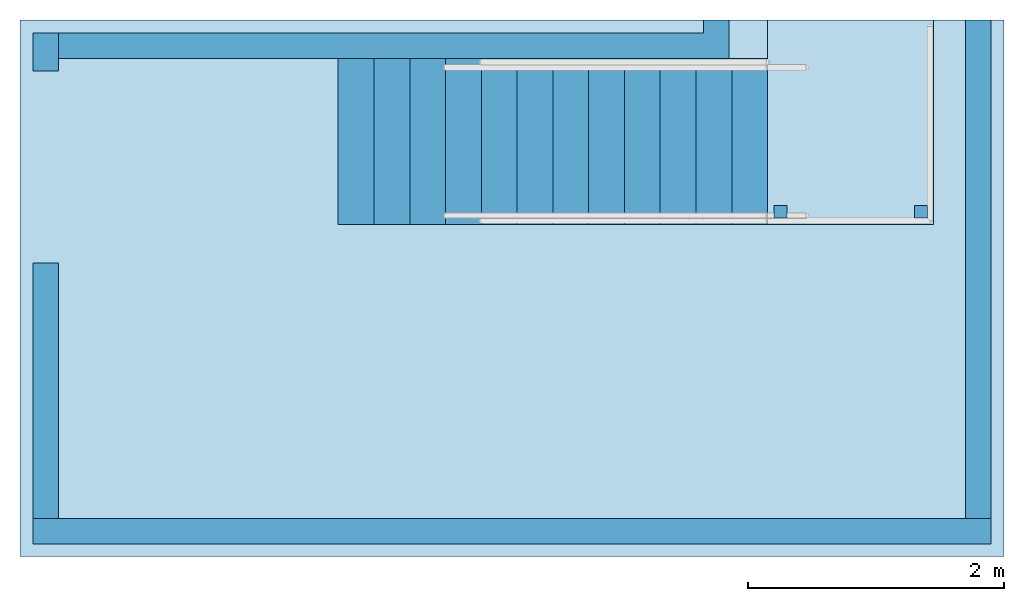
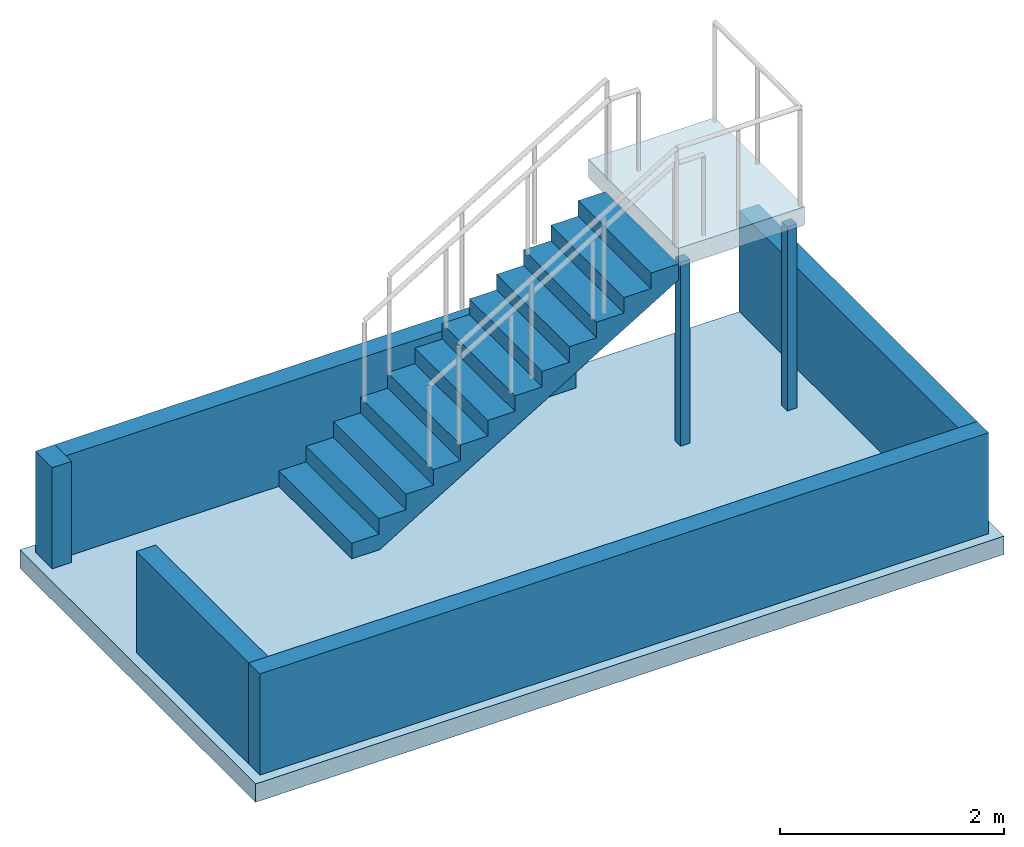
# One storey, part 1 of 2: 5 walls, 2 discrete accessories, 2 slabs, 1 stair flight, 1 element without a shape of its own.
"""IFC4 building model written with IfcOpenShell, lengths in metres."""

from ifc_helpers import new_model, si_unit, direction, frame, origin, origin_2d, place, context, subcontext, project, spatial, polyline, rectangle, outline, extrude, source, transform, mapped, material, layer, layer_set, type_object, element, aggregate, save


model = new_model("IFC4")

# Units and contexts
model_context = context("Model", 3, precision=1e-05, world=origin(), true_north=direction((0.0, 1.0)))
body_context = subcontext(model_context, "Body", "Model", "MODEL_VIEW")
ifc_project = project(units=[si_unit("LENGTHUNIT", "METRE"), si_unit("AREAUNIT", "SQUARE_METRE"), si_unit("VOLUMEUNIT", "CUBIC_METRE"), si_unit("PLANEANGLEUNIT", "RADIAN"), si_unit("MASSUNIT", "GRAM", prefix="KILO")], contexts=[model_context])

# Site, building, storey
site_placement = place(None, origin())
site = spatial("IfcSite", under=ifc_project, at=site_placement, CompositionType="ELEMENT")
building_placement = place(site_placement, origin())
building = spatial("IfcBuilding", under=site, at=building_placement, Name="Triune Harvest Tower", CompositionType="ELEMENT")
storey_placement = place(building_placement, frame((0.0, 0.0, 302.5)))
storey = spatial("IfcBuildingStorey", under=building, at=storey_placement, Name="ROOF STAIR HEAD", CompositionType="ELEMENT", Elevation=302.5)

# Slab
ifc_material_1 = material(Name="Concrete 40 MPa", Category="concrete")
ifc_layer_1 = layer(ifc_material_1, 0.199951171875)
ifc_layer_set_1 = layer_set([ifc_layer_1], Name="Concrete 40 MPa")
slab_type_1 = type_object("IfcSlabType", Name="RR-1 roof slab 200", PredefinedType="ROOF", material=ifc_layer_set_1)
slab_1_placement = place(storey_placement, frame((0.0, 0.0, -0.199951171875)))
element("IfcSlab", 1, at=slab_1_placement, inside=storey, type_object=slab_type_1, Name="Stair head roof slab", PredefinedType="ROOF", context=body_context, shape_type="SweptSolid", body=[
    extrude(outline(polyline([(-3.85009765625, -10.18994140625), (3.85009765625, -10.18994140625), (3.85009765625, -5.989990234375), (-3.85009765625, -5.989990234375), (-3.85009765625, -10.18994140625)])), origin(), (0.0, 0.0, 1.0), 0.199951171875),
])

# Stair, slab
ifc_material_2 = material(Name="Steel S355", Category="steel")
stair_type = type_object("IfcStairType", Name="Roof access stair 1300 steel", PredefinedType="STRAIGHT_RUN_STAIR", material=ifc_material_2)
stair_placement = place(storey_placement, origin())
stair = element("IfcStair", 2, at=stair_placement, inside=storey, type_object=stair_type, Name="Roof access stair RA-2", PredefinedType="STRAIGHT_RUN_STAIR")
ifc_material_3 = material(Name="Steel S355", Category="steel")
ifc_layer_2 = layer(ifc_material_3, 0.199951171875)
ifc_layer_set_2 = layer_set([ifc_layer_2], Name="Steel S355")
slab_type_2 = type_object("IfcSlabType", Name="Roof access stair landing 200", PredefinedType="LANDING", material=ifc_layer_set_2)
slab_2_placement = place(storey_placement, frame((0.0, 0.0, 2.0)))
slab_2 = element("IfcSlab", 3, at=slab_2_placement, type_object=slab_type_2, Name="RA-2 landing 1", PredefinedType="LANDING", context=body_context, shape_type="SweptSolid", body=[
    extrude(outline(polyline([(2.0, -7.590087890625), (3.300048828125, -7.590087890625), (3.300048828125, -5.989990234375), (2.0, -5.989990234375), (2.0, -7.590087890625)])), origin(), (0.0, 0.0, 1.0), 0.199951171875),
])

# Walls
ifc_material_4 = material(Name="Concrete 40 MPa", Category="concrete")
ifc_layer_3 = layer(ifc_material_4, 0.199951171875)
ifc_layer_set_3 = layer_set([ifc_layer_3], Name="Concrete 40 MPa")
wall_type = type_object("IfcWallType", Name="PA-1 parapet 200", PredefinedType="PARAPET", material=ifc_layer_set_3)
wall_1_placement = place(storey_placement, origin())
element("IfcWall", 4, at=wall_1_placement, inside=storey, type_object=wall_type, Name="Parapet stair head roof 1", PredefinedType="PARAPET", context=body_context, shape_type="SweptSolid", body=[
    extrude(outline(polyline([(-3.75, -10.090087890625), (3.75, -10.090087890625), (3.75, -9.889892578125), (-3.75, -9.889892578125), (-3.75, -10.090087890625)])), origin(), (0.0, 0.0, 1.0), 1.10009765625),
])
wall_2_placement = place(storey_placement, origin())
element("IfcWall", 5, at=wall_2_placement, inside=storey, type_object=wall_type, Name="Parapet stair head roof 2", PredefinedType="PARAPET", context=body_context, shape_type="SweptSolid", body=[
    extrude(outline(polyline([(3.550048828125, -9.889892578125), (3.75, -9.889892578125), (3.75, -5.989990234375), (3.550048828125, -5.989990234375), (3.550048828125, -9.889892578125)])), origin(), (0.0, 0.0, 1.0), 1.10009765625),
])
wall_3_placement = place(storey_placement, origin())
element("IfcWall", 6, at=wall_3_placement, inside=storey, type_object=wall_type, Name="Parapet stair head roof 3", PredefinedType="PARAPET", context=body_context, shape_type="SweptSolid", body=[
    extrude(outline(polyline([(-3.75, -9.889892578125), (-3.550048828125, -9.889892578125), (-3.550048828125, -7.889892578125), (-3.75, -7.889892578125), (-3.75, -9.889892578125)])), origin(), (0.0, 0.0, 1.0), 1.10009765625),
])
wall_4_placement = place(storey_placement, origin())
element("IfcWall", 7, at=wall_4_placement, inside=storey, type_object=wall_type, Name="Parapet stair head roof 4", PredefinedType="PARAPET", context=body_context, shape_type="SweptSolid", body=[
    extrude(outline(polyline([(-3.75, -6.389892578125), (-3.550048828125, -6.389892578125), (-3.550048828125, -6.090087890625), (-3.75, -6.090087890625), (-3.75, -6.389892578125)])), origin(), (0.0, 0.0, 1.0), 1.10009765625),
])
wall_5_placement = place(storey_placement, origin())
element("IfcWall", 8, at=wall_5_placement, inside=storey, type_object=wall_type, Name="Parapet stair head roof 5", PredefinedType="PARAPET", context=body_context, shape_type="SweptSolid", body=[
    extrude(outline(polyline([(-3.550048828125, -6.2900390625), (1.699951171875, -6.2900390625), (1.699951171875, -5.989990234375), (1.5, -5.989990234375), (1.5, -6.090087890625), (-3.550048828125, -6.090087890625), (-3.550048828125, -6.2900390625)])), origin(), (0.0, 0.0, 1.0), 1.10009765625),
])

# Stair flight
ifc_material_5 = material(Name="Steel S355", Category="steel")
stair_flight_type = type_object("IfcStairFlightType", Name="Roof access stair flight 1300", PredefinedType="STRAIGHT", material=ifc_material_5)
stair_flight_placement = place(storey_placement, frame((-1.360107421875, -6.93994140625, 0.0), z_axis=(0.0, 0.0, 1.0), x_axis=(1.0, 0.0, 0.0)))
stair_flight = element("IfcStairFlight", 9, at=stair_flight_placement, type_object=stair_flight_type, Name="RA-2 flight 1", NumberOfRisers=13, NumberOfTreads=12, PredefinedType="STRAIGHT", RiserHeight=0.16923, TreadLength=0.28, context=body_context, shape_type="SweptSolid", body=[
    extrude(outline(polyline([(0.0, 0.0), (0.0, 0.169189453125), (0.280029296875, 0.169189453125), (0.280029296875, 0.33837890625), (0.56005859375, 0.33837890625), (0.56005859375, 0.507568359375), (0.840087890625, 0.507568359375), (0.840087890625, 0.677001953125), (1.1201171875, 0.677001953125), (1.1201171875, 0.84619140625), (1.39990234375, 0.84619140625), (1.39990234375, 1.015380859375), (1.679931640625, 1.015380859375), (1.679931640625, 1.1845703125), (1.9599609375, 1.1845703125), (1.9599609375, 1.353759765625), (2.239990234375, 1.353759765625), (2.239990234375, 1.52294921875), (2.52001953125, 1.52294921875), (2.52001953125, 1.6923828125), (2.800048828125, 1.6923828125), (2.800048828125, 1.861572265625), (3.080078125, 1.861572265625), (3.080078125, 2.03076171875), (3.360107421875, 2.03076171875), (3.360107421875, 2.199951171875), (3.360107421875, 1.855712890625), (0.289794921875, 0.0), (0.0, 0.0)])), frame((0.0, 0.64990234375, 0.0), z_axis=(0.0, -1.0, 0.0), x_axis=(1.0, 0.0, 0.0)), (0.0, 0.0, 1.0), 1.300048828125),
])

aggregate(stair, [stair_flight, slab_2])

# Discrete accessories
ifc_material_6 = material(Name="Steel ASTM A992 Gr 50", Category="steel")
shared_shape = source(origin(), body_context, "Body", "SweptSolid", [
    extrude(rectangle(XDim=0.10009765625, YDim=0.10009765625, at=origin_2d()), origin(), (0.0, 0.0, 1.0), 2.0),
])
for number, where, z_axis, x_axis, name in (
    (10, (2.10009765625, -7.489990234375, 0.0), (0.0, 0.0, 1.0), (1.0, 0.0, 0.0), "RA-2-P1 support post"),
    (11, (3.199951171875, -7.489990234375, 0.0), (0.0, 0.0, 1.0), (1.0, 0.0, 0.0), "RA-2-P2 support post"),
):
    element("IfcDiscreteAccessory", number, at=place(storey_placement, frame(where, z_axis=z_axis, x_axis=x_axis)), inside=storey, material=ifc_material_6, Name=name, ObjectType="BRACKET", PredefinedType="USERDEFINED", context=body_context, shape_type="MappedRepresentation", body=[
        mapped(shared_shape, transform((0.0, 0.0, 0.0), scale=1.0)),
    ])

save(model, "model.ifc")
